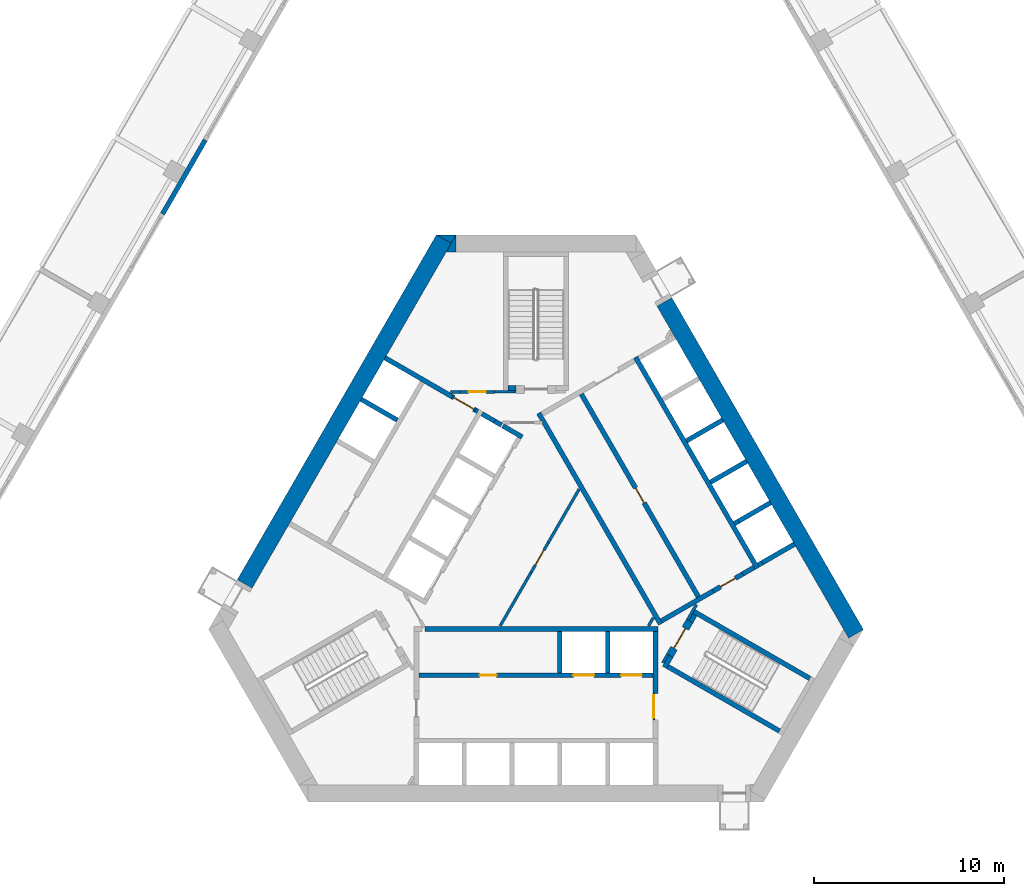
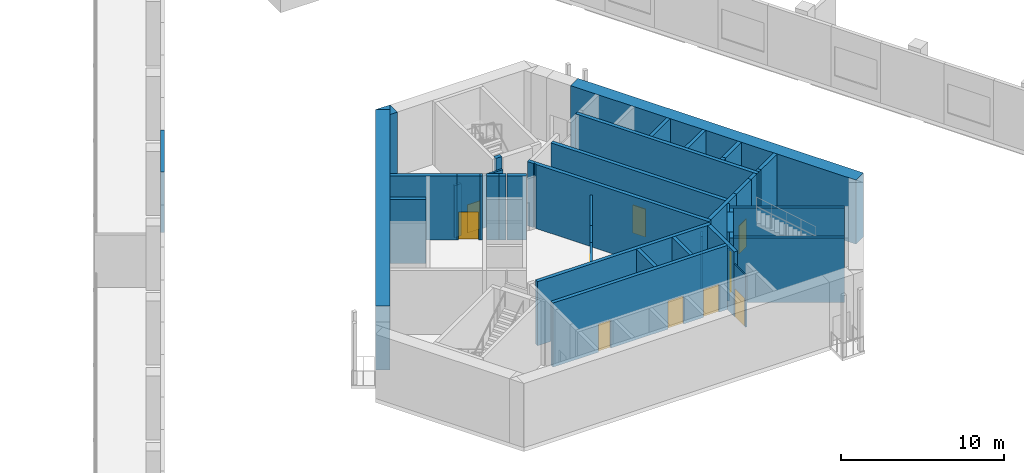
# One storey, part 10 of 28: 45 walls, 10 doors, 10 openings.
"""IFC4 building model written with IfcOpenShell, lengths in metres."""

from ifc_helpers import new_model, si_unit, direction, frame, frame_2d, origin, place, context, subcontext, project, spatial, polyline, rectangle, outline, extrude, material, layer, layer_set, type_object, element, fill, save


model = new_model("IFC4")

# Units and contexts
model_context = context("Model", 3, precision=1e-05, world=origin(), true_north=direction((0.0, 1.0)))
body_context = subcontext(model_context, "Body", "Model", "MODEL_VIEW")
ifc_project = project(units=[si_unit("LENGTHUNIT", "METRE"), si_unit("AREAUNIT", "SQUARE_METRE"), si_unit("VOLUMEUNIT", "CUBIC_METRE"), si_unit("PLANEANGLEUNIT", "RADIAN"), si_unit("MASSUNIT", "GRAM", prefix="KILO")], contexts=[model_context])

# Site, building, storey
site_placement = place(None, origin())
site = spatial("IfcSite", under=ifc_project, at=site_placement, CompositionType="ELEMENT")
building_placement = place(site_placement, origin())
building = spatial("IfcBuilding", under=site, at=building_placement, Name="Mestral Congress Tower", CompositionType="ELEMENT")
storey_placement = place(building_placement, frame((0.0, 0.0, 11.39990234375)))
storey = spatial("IfcBuildingStorey", under=building, at=storey_placement, Name="L02", CompositionType="ELEMENT", Elevation=11.39990234375)

# Walls
ifc_material_1 = material(Name="Fire-rated board partition")
ifc_layer_1 = layer(ifc_material_1, 0.14990234375)
ifc_layer_set_1 = layer_set([ifc_layer_1], Name="Fire-rated board partition")
wall_type_1 = type_object("IfcWallType", Name="Core partition 150", PredefinedType="PARTITIONING", material=ifc_layer_set_1)
wall_1_placement = place(storey_placement, frame((-3.99658203125, 8.625244140625, 0.0), z_axis=(0.0, 0.0, 1.0), x_axis=(-1.0, 0.0, 0.0)))
element("IfcWall", 1, at=wall_1_placement, inside=storey, type_object=wall_type_1, Name="L02 core wall", PredefinedType="PARTITIONING", context=body_context, shape_type="SweptSolid", body=[
    extrude(rectangle(XDim=0.502197265625, YDim=0.14990234375, at=frame_2d((0.2509765625, 0.0))), origin(), (0.0, 0.0, 1.0), 3.900146484375),
])
wall_2_placement = place(storey_placement, frame((-2.1962890625, 8.62548828125, 0.0), z_axis=(0.0, 0.0, 1.0), x_axis=(1.0, 0.0, 0.0)))
element("IfcWall", 2, at=wall_2_placement, inside=storey, type_object=wall_type_1, Name="L02 core wall", PredefinedType="PARTITIONING", context=body_context, shape_type="SweptSolid", body=[
    extrude(rectangle(XDim=1.146240234375, YDim=0.14990234375, at=frame_2d((0.5732421875, 0.0))), origin(), (0.0, 0.0, 1.0), 3.900146484375),
])
wall_3_placement = place(storey_placement, frame((6.94482421875, -5.22216796875, 0.0), z_axis=(0.0, 0.0, 1.0), x_axis=(-0.499818422106, -0.866130212453, 0.0)))
element("IfcWall", 3, at=wall_3_placement, inside=storey, type_object=wall_type_1, Name="L02 core wall", PredefinedType="PARTITIONING", context=body_context, shape_type="SweptSolid", body=[
    extrude(rectangle(XDim=0.513916015625, YDim=0.14990234375, at=frame_2d((0.2568359375, 0.0))), origin(), (0.0, 0.0, 1.0), 3.900146484375),
])
wall_4_placement = place(storey_placement, frame((5.935791015625, -3.718017578125, 0.0), z_axis=(0.0, 0.0, 1.0), x_axis=(0.499890179513, 0.866088799389, 0.0)))
element("IfcWall", 4, at=wall_4_placement, inside=storey, type_object=wall_type_1, Name="L02 core wall", PredefinedType="PARTITIONING", context=body_context, shape_type="SweptSolid", body=[
    extrude(rectangle(XDim=0.50390625, YDim=0.14990234375, at=frame_2d((0.251953125, 0.0))), origin(), (0.0, 0.0, 1.0), 3.900146484375),
])
for number, where, z_axis, x_axis, name in (
    (5, (-1.886962890625, -3.71826171875, 0.0), (0.0, 0.0, 1.0), (0.500033287521, 0.866006184372, 0.0), "L02 core wall"),
    (6, (0.64501953125, 0.6669921875, 0.0), (0.0, 0.0, 1.0), (0.499977178999, 0.866038579095, 0.0), "L02 core wall"),
):
    element("IfcWall", number, at=place(storey_placement, frame(where, z_axis=z_axis, x_axis=x_axis)), inside=storey, type_object=wall_type_1, Name=name, PredefinedType="PARTITIONING", context=body_context, shape_type="SweptSolid", body=[
        extrude(rectangle(XDim=3.263427734375, YDim=0.14990234375, at=frame_2d((1.6318359375, 0.0))), origin(), (0.0, 0.0, 1.0), 3.900146484375),
    ])

# Wall, opening, door
wall_5_placement = place(storey_placement, frame((-2.1962890625, 8.625, 0.0), z_axis=(0.0, 0.0, 1.0), x_axis=(-1.0, 0.0, 0.0)))
wall_5 = element("IfcWall", 7, at=wall_5_placement, inside=storey, type_object=wall_type_1, Name="L02 door wall", PredefinedType="PARTITIONING", context=body_context, shape_type="SweptSolid", body=[
    extrude(rectangle(XDim=1.800048828125, YDim=0.14990234375, at=frame_2d((0.89990234375, 0.0))), origin(), (0.0, 0.0, 1.0), 3.900146484375),
])
opening_1_placement = place(wall_5_placement, frame((0.449951171875, 0.0, 0.0)))
opening_1 = element("IfcOpeningElement", 8, at=opening_1_placement, cuts=wall_5, Name="Opening TD2", PredefinedType="OPENING", context=body_context, shape_type="SweptSolid", body=[
    extrude(rectangle(XDim=0.89990234375, YDim=2.10009765625, at=frame_2d((0.449951171875, 1.050048828125))), frame((0.0, 0.0849609375, 0.0), z_axis=(0.0, -1.0, 0.0), x_axis=(1.0, 0.0, 0.0)), (0.0, 0.0, 1.0), 0.169921875),
])
ifc_material_2 = material(Name="Fire-rated steel door set", Category="steel")
door_type_1 = type_object("IfcDoorType", Name="Core door SR 900x2100", OperationType="SINGLE_SWING_LEFT", PredefinedType="DOOR", material=ifc_material_2)
door_1_placement = place(opening_1_placement, origin())
door_1 = element("IfcDoor", 9, at=door_1_placement, inside=storey, type_object=door_type_1, Name="Door TD2", OperationType="SINGLE_SWING_LEFT", OverallHeight=2.10009765625, OverallWidth=0.89990234375, PredefinedType="DOOR", context=body_context, shape_type="SweptSolid", body=[
    extrude(rectangle(XDim=0.89990234375, YDim=2.10009765625, at=frame_2d((0.449951171875, 1.050048828125))), frame((0.0, 0.02490234375, 0.0), z_axis=(0.0, -1.0, 0.0), x_axis=(1.0, 0.0, 0.0)), (0.0, 0.0, 1.0), 0.050048828125),
])
fill(opening_1, door_1)

wall_6_placement = place(storey_placement, frame((-0.255126953125, -0.891845703125, 0.0), z_axis=(0.0, 0.0, 1.0), x_axis=(0.500062916607, 0.865989075817, 0.0)))
wall_6 = element("IfcWall", 10, at=wall_6_placement, inside=storey, type_object=wall_type_1, Name="L02 door wall", PredefinedType="PARTITIONING", context=body_context, shape_type="SweptSolid", body=[
    extrude(rectangle(XDim=1.800048828125, YDim=0.14990234375, at=frame_2d((0.89990234375, 0.0))), origin(), (0.0, 0.0, 1.0), 3.900146484375),
])
opening_2_placement = place(wall_6_placement, frame((0.449951171875, 0.0, 0.0)))
opening_2 = element("IfcOpeningElement", 11, at=opening_2_placement, cuts=wall_6, Name="Opening SD-HUB0", PredefinedType="OPENING", context=body_context, shape_type="SweptSolid", body=[
    extrude(rectangle(XDim=0.89990234375, YDim=2.10009765625, at=frame_2d((0.449951171875, 1.050048828125))), frame((0.0, 0.0849609375, 0.0), z_axis=(0.0, -1.0, 0.0), x_axis=(1.0, 0.0, 0.0)), (0.0, 0.0, 1.0), 0.169921875),
])
door_2_placement = place(opening_2_placement, origin())
door_2 = element("IfcDoor", 12, at=door_2_placement, inside=storey, type_object=door_type_1, Name="Door SD-HUB0", OperationType="SINGLE_SWING_LEFT", OverallHeight=2.10009765625, OverallWidth=0.89990234375, PredefinedType="DOOR", context=body_context, shape_type="SweptSolid", body=[
    extrude(rectangle(XDim=0.89990234375, YDim=2.10009765625, at=frame_2d((0.449951171875, 1.050048828125))), frame((0.0, 0.02490234375, 0.0), z_axis=(0.0, -1.0, 0.0), x_axis=(1.0, 0.0, 0.0)), (0.0, 0.0, 1.0), 0.050048828125),
])
fill(opening_2, door_2)

ifc_layer_2 = layer(ifc_material_1, 0.090087890625)
ifc_layer_set_2 = layer_set([ifc_layer_2], Name="Fire-rated board partition")
wall_type_2 = type_object("IfcWallType", Name="Core partition 150 door-wall 90", PredefinedType="PARTITIONING", material=ifc_layer_set_2)
wall_7_placement = place(storey_placement, frame((6.219970703125, -7.266357421875, 0.0), z_axis=(0.0, 0.0, 1.0), x_axis=(0.0, -1.0, 0.0)))
wall_7 = element("IfcWall", 13, at=wall_7_placement, inside=storey, type_object=wall_type_2, Name="L02 door wall", PredefinedType="PARTITIONING", context=body_context, shape_type="SweptSolid", body=[
    extrude(rectangle(XDim=1.400146484375, YDim=0.090087890625, at=frame_2d((0.7001953125, 0.0))), origin(), (0.0, 0.0, 1.0), 3.900146484375),
])
opening_3_placement = place(wall_7_placement, frame((0.10009765625, 0.0, 0.0)))
opening_3 = element("IfcOpeningElement", 14, at=opening_3_placement, cuts=wall_7, Name="Opening LB0-WL1", PredefinedType="OPENING", context=body_context, shape_type="SweptSolid", body=[
    extrude(rectangle(XDim=1.199951171875, YDim=2.10009765625, at=frame_2d((0.60009765625, 1.050048828125))), frame((0.0, 0.054931640625, 0.0), z_axis=(0.0, -1.0, 0.0), x_axis=(1.0, 0.0, 0.0)), (0.0, 0.0, 1.0), 0.110107421875),
])
door_type_2 = type_object("IfcDoorType", Name="Core door LB 1200x2100", OperationType="SINGLE_SWING_LEFT", PredefinedType="DOOR", material=ifc_material_2)
door_3_placement = place(opening_3_placement, origin())
door_3 = element("IfcDoor", 15, at=door_3_placement, inside=storey, type_object=door_type_2, Name="Door LB0-WL1", OperationType="SINGLE_SWING_LEFT", OverallHeight=2.10009765625, OverallWidth=1.199951171875, PredefinedType="DOOR", context=body_context, shape_type="SweptSolid", body=[
    extrude(rectangle(XDim=1.199951171875, YDim=2.10009765625, at=frame_2d((0.60009765625, 1.050048828125))), frame((0.0, 0.02490234375, 0.0), z_axis=(0.0, -1.0, 0.0), x_axis=(1.0, 0.0, 0.0)), (0.0, 0.0, 1.0), 0.050048828125),
])
fill(opening_3, door_3)

# Walls
ifc_material_3 = material(Name="Concrete C60/75", Category="concrete")
ifc_layer_3 = layer(ifc_material_3, 0.89990234375)
ifc_layer_set_3 = layer_set([ifc_layer_3], Name="Concrete C60/75")
wall_type_3 = type_object("IfcWallType", Name="Core wall RC 900", PredefinedType="SOLIDWALL", material=ifc_layer_set_3)
wall_8_placement = place(storey_placement, frame((6.77587890625, 13.36376953125, 0.0), z_axis=(0.0, 0.0, 1.0), x_axis=(0.500004177138, -0.8660229921, 0.0)))
element("IfcWall", 16, at=wall_8_placement, inside=storey, type_object=wall_type_3, Name="L02 core wall", PredefinedType="SOLIDWALL", context=body_context, shape_type="SweptSolid", body=[
    extrude(rectangle(XDim=20.203857421875, YDim=0.89990234375, at=frame_2d((10.10205078125, 0.0))), origin(), (0.0, 0.0, 1.0), 4.800048828125),
])
wall_9_placement = place(storey_placement, frame((-15.359619140625, -1.50341796875, 0.0), z_axis=(0.0, 0.0, 1.0), x_axis=(0.50000389221, 0.866023156604, 0.0)))
element("IfcWall", 17, at=wall_9_placement, inside=storey, type_object=wall_type_3, Name="L02 core wall", PredefinedType="SOLIDWALL", context=body_context, shape_type="SweptSolid", body=[
    extrude(rectangle(XDim=21.000244140625, YDim=0.89990234375, at=frame_2d((10.5, 0.0))), origin(), (0.0, 0.0, 1.0), 4.800048828125),
])
placement = place(storey_placement, origin())
element("IfcWall", 18, at=placement, inside=storey, type_object=wall_type_3, Name="L02 core wall", PredefinedType="SOLIDWALL", context=body_context, shape_type="SweptSolid", body=[
    extrude(outline(polyline([(-4.214599609375, 16.89990234375), (-4.46875, 16.460205078125), (-5.230712890625, 16.89990234375), (-4.214599609375, 16.89990234375)])), origin(), (0.0, 0.0, 1.0), 4.800048828125),
])
element("IfcWall", 19, at=placement, inside=storey, type_object=wall_type_3, Name="L02 core wall", PredefinedType="SOLIDWALL", context=body_context, shape_type="SweptSolid", body=[
    extrude(outline(polyline([(-4.734375, 16.0), (-4.226318359375, 16.8798828125), (-4.226318359375, 16.0), (-4.734375, 16.0)])), origin(), (0.0, 0.0, 1.0), 4.800048828125),
])
ifc_material_4 = material(Name="Precast concrete C40/50 with limestone facing", Category="masonry")
ifc_layer_4 = layer(ifc_material_4, 0.25)
ifc_layer_set_4 = layer_set([ifc_layer_4], Name="Precast concrete C40/50 with limestone facing")
wall_type_4 = type_object("IfcWallType", Name="Podium external wall 250", PredefinedType="SOLIDWALL", material=ifc_layer_set_4)
wall_12_placement = place(storey_placement, frame((-17.4375, 21.9033203125, 0.0), z_axis=(0.0, 0.0, 1.0), x_axis=(-0.499990139034, -0.866031096941, 0.0)))
element("IfcWall", 20, at=wall_12_placement, inside=storey, type_object=wall_type_4, Name="L02 external wall", PredefinedType="SOLIDWALL", context=body_context, shape_type="SweptSolid", body=[
    extrude(rectangle(XDim=4.5, YDim=0.25, at=frame_2d((2.25, 0.0))), origin(), (0.0, 0.0, 1.0), 4.5),
])
ifc_layer_5 = layer(ifc_material_3, 0.25)
ifc_layer_set_5 = layer_set([ifc_layer_5], Name="Concrete C60/75")
wall_type_5 = type_object("IfcWallType", Name="Shaft wall RC 250", PredefinedType="SOLIDWALL", material=ifc_layer_set_5)
wall_13_placement = place(storey_placement, frame((-5.844970703125, -3.875, 0.0), z_axis=(0.0, 0.0, 1.0), x_axis=(1.0, 0.0, 0.0)))
element("IfcWall", 21, at=wall_13_placement, inside=storey, type_object=wall_type_5, Name="L02 core wall", PredefinedType="SOLIDWALL", context=body_context, shape_type="SweptSolid", body=[
    extrude(rectangle(XDim=12.27001953125, YDim=0.25, at=frame_2d((6.135009765625, 0.0))), origin(), (0.0, 0.0, 1.0), 4.800048828125),
])
wall_14_placement = place(storey_placement, frame((6.300048828125, -7.27001953125, 0.0), z_axis=(0.0, 0.0, 1.0), x_axis=(0.0, 1.0, 0.0)))
element("IfcWall", 22, at=wall_14_placement, inside=storey, type_object=wall_type_5, Name="L02 core wall", PredefinedType="SOLIDWALL", context=body_context, shape_type="SweptSolid", body=[
    extrude(rectangle(XDim=3.27001953125, YDim=0.25, at=frame_2d((1.635009765625, 0.0))), origin(), (0.0, 0.0, 1.0), 4.800048828125),
])
for number, where, z_axis, x_axis, name in (
    (23, (3.780029296875, -4.0, 0.0), (0.0, 0.0, 1.0), (0.0, -1.0, 0.0), "L02 core wall"),
    (24, (1.260009765625, -4.0, 0.0), (0.0, 0.0, 1.0), (0.0, -1.0, 0.0), "L02 core wall"),
):
    element("IfcWall", number, at=place(storey_placement, frame(where, z_axis=z_axis, x_axis=x_axis)), inside=storey, type_object=wall_type_5, Name=name, PredefinedType="SOLIDWALL", context=body_context, shape_type="SweptSolid", body=[
        extrude(rectangle(XDim=2.199951171875, YDim=0.25, at=frame_2d((1.10009765625, 0.0))), origin(), (0.0, 0.0, 1.0), 4.800048828125),
    ])
wall_15_placement = place(storey_placement, frame((11.677978515625, -0.6767578125, 0.0), z_axis=(0.0, 0.0, 1.0), x_axis=(-0.500003135297, 0.866023593612, 0.0)))
element("IfcWall", 25, at=wall_15_placement, inside=storey, type_object=wall_type_5, Name="L02 core wall", PredefinedType="SOLIDWALL", context=body_context, shape_type="SweptSolid", body=[
    extrude(rectangle(XDim=12.85009765625, YDim=0.25, at=frame_2d((6.425048828125, 0.0))), origin(), (0.0, 0.0, 1.0), 4.800048828125),
])
for number, where, z_axis, x_axis, name in (
    (26, (10.463623046875, 1.676513671875, 0.0), (0.0, 0.0, 1.0), (0.866071776036, 0.499919672301, 0.0), "L02 core wall"),
    (27, (11.894287109375, -0.5517578125, 0.0), (0.0, 0.0, 1.0), (-0.499919672301, 0.866071776036, 0.0), "L02 core wall"),
):
    element("IfcWall", number, at=place(storey_placement, frame(where, z_axis=z_axis, x_axis=x_axis)), inside=storey, type_object=wall_type_5, Name=name, PredefinedType="SOLIDWALL", context=body_context, shape_type="SweptSolid", body=[
        extrude(rectangle(XDim=0.25, YDim=0.25, at=frame_2d((0.125, 0.0))), origin(), (0.0, 0.0, 1.0), 4.800048828125),
    ])
for number, where, z_axis, x_axis, name in (
    (28, (11.940185546875, -0.381103515625, 0.0), (0.0, 0.0, 1.0), (0.866000020948, 0.500043961785, 0.0), "L02 core wall"),
    (29, (12.368896484375, 2.7763671875, 0.0), (0.0, 0.0, 1.0), (-0.866054235095, -0.49995005938, 0.0), "L02 core wall"),
):
    element("IfcWall", number, at=place(storey_placement, frame(where, z_axis=z_axis, x_axis=x_axis)), inside=storey, type_object=wall_type_5, Name=name, PredefinedType="SOLIDWALL", context=body_context, shape_type="SweptSolid", body=[
        extrude(rectangle(XDim=1.949951171875, YDim=0.25, at=frame_2d((0.97509765625, 0.0))), origin(), (0.0, 0.0, 1.0), 4.800048828125),
    ])
wall_16_placement = place(storey_placement, frame((11.507080078125, -0.631103515625, 0.0), z_axis=(0.0, 0.0, 1.0), x_axis=(-0.866074517829, -0.49991492233, 0.0)))
element("IfcWall", 30, at=wall_16_placement, inside=storey, type_object=wall_type_5, Name="L02 core wall", PredefinedType="SOLIDWALL", context=body_context, shape_type="SweptSolid", body=[
    extrude(rectangle(XDim=0.6953125, YDim=0.25, at=frame_2d((0.34765625, 0.0))), origin(), (0.0, 0.0, 1.0), 4.800048828125),
])
element("IfcWall", 31, at=placement, inside=storey, type_object=wall_type_5, Name="L02 core wall", PredefinedType="SOLIDWALL", context=body_context, shape_type="SweptSolid", body=[
    extrude(outline(polyline([(6.551513671875, -3.34765625), (6.676513671875, -3.564208984375), (6.460205078125, -3.689208984375), (4.896728515625, -0.981201171875), (0.33203125, 6.9248046875), (0.334716796875, 6.9248046875), (0.334716796875, 6.925048828125), (0.334716796875, 6.925048828125), (0.334716796875, 7.074951171875), (0.334716796875, 7.074951171875), (0.334716796875, 7.0751953125), (0.245361328125, 7.0751953125), (0.079345703125, 7.362548828125), (0.03515625, 7.439208984375), (0.251708984375, 7.564208984375), (0.376708984375, 7.34765625), (6.551513671875, -3.34765625)])), origin(), (0.0, 0.0, 1.0), 4.800048828125),
])
wall_18_placement = place(storey_placement, frame((6.614013671875, -3.4560546875, 0.0), z_axis=(0.0, 0.0, 1.0), x_axis=(0.86602447079, 0.500001615989, 0.0)))
element("IfcWall", 32, at=wall_18_placement, inside=storey, type_object=wall_type_5, Name="L02 core wall", PredefinedType="SOLIDWALL", context=body_context, shape_type="SweptSolid", body=[
    extrude(rectangle(XDim=3.154296875, YDim=0.25, at=frame_2d((1.5771484375, 0.0))), origin(), (0.0, 0.0, 1.0), 4.800048828125),
])
for number, where, z_axis, x_axis, name in (
    (33, (7.943603515625, 6.041259765625, 0.0), (0.0, 0.0, 1.0), (0.86605622881, 0.499946605688, 0.0), "L02 core wall"),
    (34, (9.20361328125, 3.85888671875, 0.0), (0.0, 0.0, 1.0), (0.86605622881, 0.499946605688, 0.0), "L02 core wall"),
):
    element("IfcWall", number, at=place(storey_placement, frame(where, z_axis=z_axis, x_axis=x_axis)), inside=storey, type_object=wall_type_5, Name=name, PredefinedType="SOLIDWALL", context=body_context, shape_type="SweptSolid", body=[
        extrude(rectangle(XDim=2.199951171875, YDim=0.25, at=frame_2d((1.10009765625, 0.0))), origin(), (0.0, 0.0, 1.0), 4.800048828125),
    ])
wall_19_placement = place(storey_placement, frame((-1.818603515625, 6.869873046875, 0.0), z_axis=(0.0, 0.0, 1.0), x_axis=(-0.866294599386, 0.499533449405, 0.0)))
element("IfcWall", 35, at=wall_19_placement, inside=storey, type_object=wall_type_5, Name="L02 core wall", PredefinedType="SOLIDWALL", context=body_context, shape_type="SweptSolid", body=[
    extrude(rectangle(XDim=0.41015625, YDim=0.25, at=frame_2d((0.205078125, 0.0))), origin(), (0.0, 0.0, 1.0), 4.800048828125),
])
wall_20_placement = place(storey_placement, frame((-2.849365234375, 7.46484375, 0.0), z_axis=(0.0, 0.0, 1.0), x_axis=(0.865955664968, -0.500120771724, 0.0)))
element("IfcWall", 36, at=wall_20_placement, inside=storey, type_object=wall_type_5, Name="L02 core wall", PredefinedType="SOLIDWALL", context=body_context, shape_type="SweptSolid", body=[
    extrude(rectangle(XDim=0.778076171875, YDim=0.25, at=frame_2d((0.38916015625, 0.0))), origin(), (0.0, 0.0, 1.0), 4.800048828125),
])
wall_21_placement = place(storey_placement, frame((-0.7275390625, 6.23974609375, 0.0), z_axis=(0.0, 0.0, 1.0), x_axis=(-0.866002680491, 0.500039355833, 0.0)))
element("IfcWall", 37, at=wall_21_placement, inside=storey, type_object=wall_type_5, Name="L02 core wall", PredefinedType="SOLIDWALL", context=body_context, shape_type="SweptSolid", body=[
    extrude(rectangle(XDim=1.17822265625, YDim=0.25, at=frame_2d((0.589111328125, 0.0))), origin(), (0.0, 0.0, 1.0), 4.800048828125),
])
element("IfcWall", 38, at=placement, inside=storey, type_object=wall_type_5, Name="L02 core wall", PredefinedType="SOLIDWALL", context=body_context, shape_type="SweptSolid", body=[
    extrude(outline(polyline([(-3.12841796875, 7.4814453125), (-3.2587890625, 7.556640625), (-3.1337890625, 7.773193359375), (-3.00341796875, 7.697998046875), (-3.12841796875, 7.4814453125)])), origin(), (0.0, 0.0, 1.0), 4.800048828125),
])
wall_23_placement = place(storey_placement, frame((-7.313720703125, 7.13232421875, 0.0), z_axis=(0.0, 0.0, 1.0), x_axis=(-0.866008176907, 0.50002983664, 0.0)))
element("IfcWall", 39, at=wall_23_placement, inside=storey, type_object=wall_type_5, Name="L02 core wall", PredefinedType="SOLIDWALL", context=body_context, shape_type="SweptSolid", body=[
    extrude(rectangle(XDim=2.199951171875, YDim=0.25, at=frame_2d((1.10009765625, 0.0))), origin(), (0.0, 0.0, 1.0), 4.800048828125),
])
wall_24_placement = place(storey_placement, frame((-7.958984375, 10.414794921875, 0.0), z_axis=(0.0, 0.0, 1.0), x_axis=(0.866020958405, -0.500007699544, 0.0)))
element("IfcWall", 40, at=wall_24_placement, inside=storey, type_object=wall_type_5, Name="L02 core wall", PredefinedType="SOLIDWALL", context=body_context, shape_type="SweptSolid", body=[
    extrude(rectangle(XDim=4.099609375, YDim=0.25, at=frame_2d((2.0498046875, 0.0))), origin(), (0.0, 0.0, 1.0), 4.800048828125),
])

# Wall, openings, doors
wall_25_placement = place(storey_placement, frame((-6.175048828125, -6.324951171875, 0.0), z_axis=(0.0, 0.0, 1.0), x_axis=(1.0, 0.0, 0.0)))
wall_25 = element("IfcWall", 41, at=wall_25_placement, inside=storey, type_object=wall_type_5, Name="L02 door wall", PredefinedType="SOLIDWALL", context=body_context, shape_type="SweptSolid", body=[
    extrude(rectangle(XDim=12.35009765625, YDim=0.25, at=frame_2d((6.175048828125, 0.0))), origin(), (0.0, 0.0, 1.0), 4.800048828125),
])
opening_4_placement = place(wall_25_placement, frame((3.205078125, 0.0, 0.0)))
opening_4 = element("IfcOpeningElement", 42, at=opening_4_placement, cuts=wall_25, Name="Opening SR-SOB1", PredefinedType="OPENING", context=body_context, shape_type="SweptSolid", body=[
    extrude(rectangle(XDim=0.89990234375, YDim=2.10009765625, at=frame_2d((0.449951171875, 1.050048828125))), frame((0.0, 0.135009765625, 0.0), z_axis=(0.0, -1.0, 0.0), x_axis=(1.0, 0.0, 0.0)), (0.0, 0.0, 1.0), 0.27001953125),
])
opening_5_placement = place(wall_25_placement, frame((8.14501953125, 0.0, 0.0)))
opening_5 = element("IfcOpeningElement", 43, at=opening_5_placement, cuts=wall_25, Name="Opening LD-SOB4", PredefinedType="OPENING", context=body_context, shape_type="SweptSolid", body=[
    extrude(rectangle(XDim=1.10009765625, YDim=2.10009765625, at=frame_2d((0.550048828125, 1.050048828125))), frame((0.0, 0.135009765625, 0.0), z_axis=(0.0, -1.0, 0.0), x_axis=(1.0, 0.0, 0.0)), (0.0, 0.0, 1.0), 0.27001953125),
])
opening_6_placement = place(wall_25_placement, frame((10.6650390625, 0.0, 0.0)))
opening_6 = element("IfcOpeningElement", 44, at=opening_6_placement, cuts=wall_25, Name="Opening LD-SOB5", PredefinedType="OPENING", context=body_context, shape_type="SweptSolid", body=[
    extrude(rectangle(XDim=1.10009765625, YDim=2.10009765625, at=frame_2d((0.550048828125, 1.050048828125))), frame((0.0, 0.135009765625, 0.0), z_axis=(0.0, -1.0, 0.0), x_axis=(1.0, 0.0, 0.0)), (0.0, 0.0, 1.0), 0.27001953125),
])
door_type_3 = type_object("IfcDoorType", Name="Core door LD 1100x2100", OperationType="DOUBLE_DOOR_SLIDING", PredefinedType="DOOR", material=ifc_material_2)
door_4_placement = place(opening_5_placement, origin())
door_4 = element("IfcDoor", 45, at=door_4_placement, inside=storey, type_object=door_type_3, Name="Door LD-SOB4", OperationType="DOUBLE_DOOR_SLIDING", OverallHeight=2.10009765625, OverallWidth=1.10009765625, PredefinedType="DOOR", context=body_context, shape_type="SweptSolid", body=[
    extrude(rectangle(XDim=1.10009765625, YDim=2.10009765625, at=frame_2d((0.550048828125, 1.050048828125))), frame((0.0, 0.02490234375, 0.0), z_axis=(0.0, -1.0, 0.0), x_axis=(1.0, 0.0, 0.0)), (0.0, 0.0, 1.0), 0.050048828125),
])
fill(opening_5, door_4)
door_5_placement = place(opening_6_placement, origin())
door_5 = element("IfcDoor", 46, at=door_5_placement, inside=storey, type_object=door_type_3, Name="Door LD-SOB5", OperationType="DOUBLE_DOOR_SLIDING", OverallHeight=2.10009765625, OverallWidth=1.10009765625, PredefinedType="DOOR", context=body_context, shape_type="SweptSolid", body=[
    extrude(rectangle(XDim=1.10009765625, YDim=2.10009765625, at=frame_2d((0.550048828125, 1.050048828125))), frame((0.0, 0.02490234375, 0.0), z_axis=(0.0, -1.0, 0.0), x_axis=(1.0, 0.0, 0.0)), (0.0, 0.0, 1.0), 0.050048828125),
])
fill(opening_6, door_5)
door_6_placement = place(opening_4_placement, origin())
door_6 = element("IfcDoor", 47, at=door_6_placement, inside=storey, type_object=door_type_1, Name="Door SR-SOB1", OperationType="SINGLE_SWING_LEFT", OverallHeight=2.10009765625, OverallWidth=0.89990234375, PredefinedType="DOOR", context=body_context, shape_type="SweptSolid", body=[
    extrude(rectangle(XDim=0.89990234375, YDim=2.10009765625, at=frame_2d((0.449951171875, 1.050048828125))), frame((0.0, 0.02490234375, 0.0), z_axis=(0.0, -1.0, 0.0), x_axis=(1.0, 0.0, 0.0)), (0.0, 0.0, 1.0), 0.050048828125),
])
fill(opening_4, door_6)

# Wall, opening, door
wall_26_placement = place(storey_placement, frame((8.565185546875, -2.185302734375, 0.0), z_axis=(0.0, 0.0, 1.0), x_axis=(-0.499997954832, 0.866026584559, 0.0)))
wall_26 = element("IfcWall", 48, at=wall_26_placement, inside=storey, type_object=wall_type_5, Name="L02 door wall", PredefinedType="SOLIDWALL", context=body_context, shape_type="SweptSolid", body=[
    extrude(rectangle(XDim=12.35009765625, YDim=0.25, at=frame_2d((6.175048828125, 0.0))), origin(), (0.0, 0.0, 1.0), 4.800048828125),
])
opening_7_placement = place(wall_26_placement, frame((5.72509765625, 0.0, 0.0)))
opening_7 = element("IfcOpeningElement", 49, at=opening_7_placement, cuts=wall_26, Name="Opening SR-NEB1", PredefinedType="OPENING", context=body_context, shape_type="SweptSolid", body=[
    extrude(rectangle(XDim=0.89990234375, YDim=2.10009765625, at=frame_2d((0.449951171875, 1.050048828125))), frame((0.0, 0.135009765625, 0.0), z_axis=(0.0, -1.0, 0.0), x_axis=(1.0, 0.0, 0.0)), (0.0, 0.0, 1.0), 0.27001953125),
])
door_7_placement = place(opening_7_placement, origin())
door_7 = element("IfcDoor", 50, at=door_7_placement, inside=storey, type_object=door_type_1, Name="Door SR-NEB1", OperationType="SINGLE_SWING_LEFT", OverallHeight=2.10009765625, OverallWidth=0.89990234375, PredefinedType="DOOR", context=body_context, shape_type="SweptSolid", body=[
    extrude(rectangle(XDim=0.89990234375, YDim=2.10009765625, at=frame_2d((0.449951171875, 1.050048828125))), frame((0.0, 0.02490234375, 0.0), z_axis=(0.0, -1.0, 0.0), x_axis=(1.0, 0.0, 0.0)), (0.0, 0.0, 1.0), 0.050048828125),
])
fill(opening_7, door_7)

wall_27_placement = place(storey_placement, frame((9.345947265625, -1.878662109375, 0.0), z_axis=(0.0, 0.0, 1.0), x_axis=(0.866047807691, 0.499961193289, 0.0)))
wall_27 = element("IfcWall", 51, at=wall_27_placement, inside=storey, type_object=wall_type_5, Name="L02 door wall", PredefinedType="SOLIDWALL", context=body_context, shape_type="SweptSolid", body=[
    extrude(rectangle(XDim=1.800048828125, YDim=0.25, at=frame_2d((0.89990234375, 0.0))), origin(), (0.0, 0.0, 1.0), 4.800048828125),
])
opening_8_placement = place(wall_27_placement, frame((0.449951171875, 0.0, 0.0)))
opening_8 = element("IfcOpeningElement", 52, at=opening_8_placement, cuts=wall_27, Name="Opening TD1", PredefinedType="OPENING", context=body_context, shape_type="SweptSolid", body=[
    extrude(rectangle(XDim=0.89990234375, YDim=2.10009765625, at=frame_2d((0.449951171875, 1.050048828125))), frame((0.0, 0.135009765625, 0.0), z_axis=(0.0, -1.0, 0.0), x_axis=(1.0, 0.0, 0.0)), (0.0, 0.0, 1.0), 0.27001953125),
])
door_8_placement = place(opening_8_placement, origin())
door_8 = element("IfcDoor", 53, at=door_8_placement, inside=storey, type_object=door_type_1, Name="Door TD1", OperationType="SINGLE_SWING_LEFT", OverallHeight=2.10009765625, OverallWidth=0.89990234375, PredefinedType="DOOR", context=body_context, shape_type="SweptSolid", body=[
    extrude(rectangle(XDim=0.89990234375, YDim=2.10009765625, at=frame_2d((0.449951171875, 1.050048828125))), frame((0.0, 0.02490234375, 0.0), z_axis=(0.0, -1.0, 0.0), x_axis=(1.0, 0.0, 0.0)), (0.0, 0.0, 1.0), 0.050048828125),
])
fill(opening_8, door_8)

wall_28_placement = place(storey_placement, frame((-4.40869140625, 8.364990234375, 0.0), z_axis=(0.0, 0.0, 1.0), x_axis=(0.866034573852, -0.49998411664, 0.0)))
wall_28 = element("IfcWall", 54, at=wall_28_placement, inside=storey, type_object=wall_type_5, Name="L02 door wall", PredefinedType="SOLIDWALL", context=body_context, shape_type="SweptSolid", body=[
    extrude(rectangle(XDim=1.39990234375, YDim=0.25, at=frame_2d((0.699951171875, 0.0))), origin(), (0.0, 0.0, 1.0), 4.800048828125),
])
opening_9_placement = place(wall_28_placement, frame((0.10009765625, 0.0, 0.0)))
opening_9 = element("IfcOpeningElement", 55, at=opening_9_placement, cuts=wall_28, Name="Opening LB2-WL2", PredefinedType="OPENING", context=body_context, shape_type="SweptSolid", body=[
    extrude(rectangle(XDim=1.199951171875, YDim=2.10009765625, at=frame_2d((0.60009765625, 1.050048828125))), frame((0.0, 0.135009765625, 0.0), z_axis=(0.0, -1.0, 0.0), x_axis=(1.0, 0.0, 0.0)), (0.0, 0.0, 1.0), 0.27001953125),
])
door_9_placement = place(opening_9_placement, origin())
door_9 = element("IfcDoor", 56, at=door_9_placement, inside=storey, type_object=door_type_2, Name="Door LB2-WL2", OperationType="SINGLE_SWING_LEFT", OverallHeight=2.10009765625, OverallWidth=1.199951171875, PredefinedType="DOOR", context=body_context, shape_type="SweptSolid", body=[
    extrude(rectangle(XDim=1.199951171875, YDim=2.10009765625, at=frame_2d((0.60009765625, 1.050048828125))), frame((0.0, 0.02490234375, 0.0), z_axis=(0.0, -1.0, 0.0), x_axis=(1.0, 0.0, 0.0)), (0.0, 0.0, 1.0), 0.050048828125),
])
fill(opening_9, door_9)

# Walls
ifc_layer_6 = layer(ifc_material_3, 0.14990234375)
ifc_layer_set_6 = layer_set([ifc_layer_6], Name="Concrete C60/75")
wall_type_6 = type_object("IfcWallType", Name="Shaft wall RC 250 door-wall 150", PredefinedType="SOLIDWALL", material=ifc_layer_set_6)
wall_29_placement = place(storey_placement, frame((8.459228515625, -2.59912109375, 0.0), z_axis=(0.0, 0.0, 1.0), x_axis=(-0.500041054325, -0.866001699761, 0.0)))
element("IfcWall", 57, at=wall_29_placement, inside=storey, type_object=wall_type_6, Name="L02 core wall", PredefinedType="PARTITIONING", context=body_context, shape_type="SweptSolid", body=[
    extrude(rectangle(XDim=0.9287109375, YDim=0.14990234375, at=frame_2d((0.46435546875, 0.0))), origin(), (0.0, 0.0, 1.0), 4.800048828125),
])
ifc_layer_7 = layer(ifc_material_3, 0.25)
ifc_layer_set_7 = layer_set([ifc_layer_7], Name="Concrete C60/75")
wall_type_7 = type_object("IfcWallType", Name="Stair wall RC 250", PredefinedType="SOLIDWALL", material=ifc_layer_set_7)
wall_30_placement = place(storey_placement, frame((12.83984375, -9.2607421875, 0.0), z_axis=(0.0, 0.0, 1.0), x_axis=(-0.866013990052, 0.500019768644, 0.0)))
element("IfcWall", 58, at=wall_30_placement, inside=storey, type_object=wall_type_7, Name="L02 core wall", PredefinedType="SOLIDWALL", context=body_context, shape_type="SweptSolid", body=[
    extrude(rectangle(XDim=6.800048828125, YDim=0.25, at=frame_2d((3.39990234375, 0.0))), origin(), (0.0, 0.0, 1.0), 4.800048828125),
])
wall_31_placement = place(storey_placement, frame((6.780029296875, -5.906494140625, 0.0), z_axis=(0.0, 0.0, 1.0), x_axis=(0.500223362819, 0.865896406789, 0.0)))
element("IfcWall", 59, at=wall_31_placement, inside=storey, type_object=wall_type_7, Name="L02 core wall", PredefinedType="SOLIDWALL", context=body_context, shape_type="SweptSolid", body=[
    extrude(rectangle(XDim=0.675048828125, YDim=0.25, at=frame_2d((0.33740234375, 0.0))), origin(), (0.0, 0.0, 1.0), 4.800048828125),
])
wall_32_placement = place(storey_placement, frame((8.33447265625, -2.96435546875, 0.0), z_axis=(0.0, 0.0, 1.0), x_axis=(0.866016039709, -0.500016218704, 0.0)))
element("IfcWall", 60, at=wall_32_placement, inside=storey, type_object=wall_type_7, Name="L02 core wall", PredefinedType="SOLIDWALL", context=body_context, shape_type="SweptSolid", body=[
    extrude(rectangle(XDim=7.050048828125, YDim=0.25, at=frame_2d((3.52490234375, 0.0))), origin(), (0.0, 0.0, 1.0), 4.800048828125),
])
for number, where, z_axis, x_axis, name in (
    (61, (8.167724609375, -3.503173828125, 0.0), (0.0, 0.0, 1.0), (0.49972245349, 0.866185586049, 0.0), "L02 core wall"),
    (62, (-1.47509765625, 8.824951171875, 0.0), (0.0, 0.0, 1.0), (1.0, 0.0, 0.0), "L02 core wall"),
):
    element("IfcWall", number, at=place(storey_placement, frame(where, z_axis=z_axis, x_axis=x_axis)), inside=storey, type_object=wall_type_7, Name=name, PredefinedType="SOLIDWALL", context=body_context, shape_type="SweptSolid", body=[
        extrude(rectangle(XDim=0.425048828125, YDim=0.25, at=frame_2d((0.21240234375, 0.0))), origin(), (0.0, 0.0, 1.0), 4.800048828125),
    ])

# Wall, opening, door
ifc_layer_8 = layer(ifc_material_3, 0.39990234375)
ifc_layer_set_8 = layer_set([ifc_layer_8], Name="Concrete C60/75")
wall_type_8 = type_object("IfcWallType", Name="Stair wall RC 250 door-wall 400", PredefinedType="SOLIDWALL", material=ifc_layer_set_8)
wall_33_placement = place(storey_placement, frame((7.052734375, -5.2841796875, 0.0), z_axis=(0.0, 0.0, 1.0), x_axis=(0.500078061341, 0.865980330357, 0.0)))
wall_33 = element("IfcWall", 63, at=wall_33_placement, inside=storey, type_object=wall_type_8, Name="L02 door wall", PredefinedType="SOLIDWALL", context=body_context, shape_type="SweptSolid", body=[
    extrude(rectangle(XDim=2.099853515625, YDim=0.39990234375, at=frame_2d((1.0498046875, 0.0))), origin(), (0.0, 0.0, 1.0), 4.800048828125),
])
opening_10_placement = place(wall_33_placement, frame((0.449951171875, 0.0, 0.0)))
opening_10 = element("IfcOpeningElement", 64, at=opening_10_placement, cuts=wall_33, Name="Opening ST-D1", PredefinedType="OPENING", context=body_context, shape_type="SweptSolid", body=[
    extrude(rectangle(XDim=1.199951171875, YDim=2.10009765625, at=frame_2d((0.60009765625, 1.050048828125))), frame((0.0, 0.2099609375, 0.0), z_axis=(0.0, -1.0, 0.0), x_axis=(1.0, 0.0, 0.0)), (0.0, 0.0, 1.0), 0.419921875),
])
door_type_4 = type_object("IfcDoorType", Name="Core door ST 1200x2100", OperationType="SINGLE_SWING_LEFT", PredefinedType="DOOR", material=ifc_material_2)
door_10_placement = place(opening_10_placement, origin())
door_10 = element("IfcDoor", 65, at=door_10_placement, inside=storey, type_object=door_type_4, Name="Door ST-D1", OperationType="SINGLE_SWING_LEFT", OverallHeight=2.10009765625, OverallWidth=1.199951171875, PredefinedType="DOOR", context=body_context, shape_type="SweptSolid", body=[
    extrude(rectangle(XDim=1.199951171875, YDim=2.10009765625, at=frame_2d((0.60009765625, 1.050048828125))), frame((0.0, 0.02490234375, 0.0), z_axis=(0.0, -1.0, 0.0), x_axis=(1.0, 0.0, 0.0)), (0.0, 0.0, 1.0), 0.050048828125),
])
fill(opening_10, door_10)

save(model, "model.ifc")
